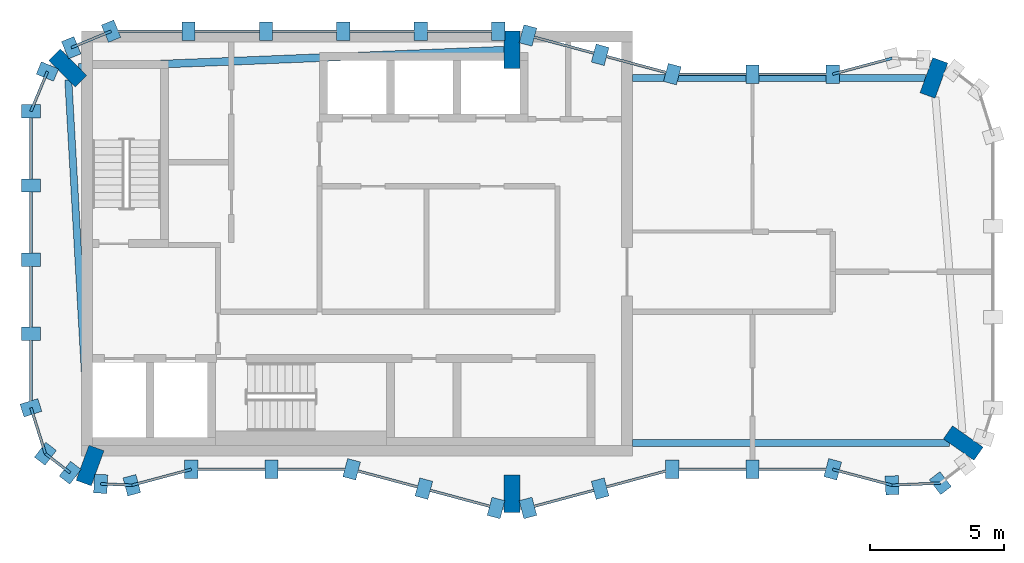
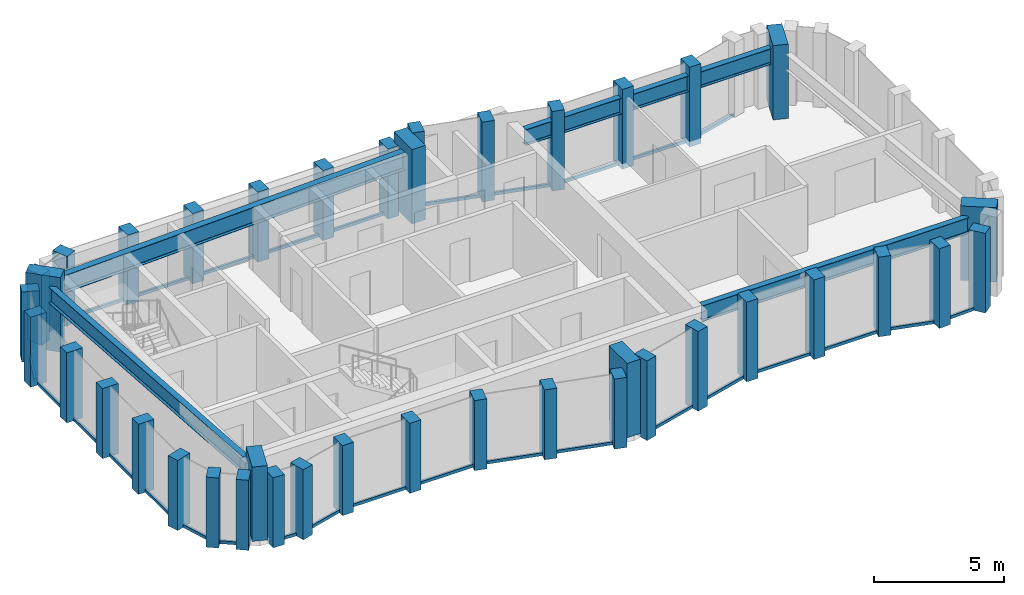
# One storey, part 1 of 5: 51 members, 6 columns, 4 beams, 18 elements without a shape of their own.
"""IFC4 building model written with IfcOpenShell, lengths in metres."""

from ifc_helpers import new_model, si_unit, direction, frame, origin, origin_2d, place, context, subcontext, project, spatial, rectangle, i_section, extrude, material, layer, layer_set, material_profile, profile_set, type_object, element, aggregate, save


model = new_model("IFC4")

# Units and contexts
model_context = context("Model", 3, precision=1e-05, world=origin(), true_north=direction((0.0, 1.0)))
body_context = subcontext(model_context, "Body", "Model", "MODEL_VIEW")
ifc_project = project(units=[si_unit("LENGTHUNIT", "METRE"), si_unit("AREAUNIT", "SQUARE_METRE"), si_unit("VOLUMEUNIT", "CUBIC_METRE"), si_unit("PLANEANGLEUNIT", "RADIAN"), si_unit("MASSUNIT", "GRAM", prefix="KILO")], contexts=[model_context])

# Site, building, storey
site_placement = place(None, origin())
site = spatial("IfcSite", under=ifc_project, at=site_placement, CompositionType="ELEMENT")
building_placement = place(site_placement, origin())
building = spatial("IfcBuilding", under=site, at=building_placement, Name="Plateau Cross Towers", CompositionType="ELEMENT")
storey_placement = place(building_placement, frame((0.0, 0.0, 298.39990234375)))
storey = spatial("IfcBuildingStorey", under=building, at=storey_placement, Name="L79 Crown 2", CompositionType="ELEMENT", Elevation=298.39990234375)

# Columns
ifc_material_1 = material(Name="Concrete C60/75", Category="concrete")
ifc_material_profile_1 = material_profile(ifc_material_1, rectangle(XDim=0.60009765625, YDim=1.39990234375, at=origin_2d()), Name="RC 600x1400")
ifc_profile_set_1 = profile_set([ifc_material_profile_1], Name="Concrete C60/75")
column_type = type_object("IfcColumnType", Name="Fin pier column RC 600x1400", PredefinedType="COLUMN", material=ifc_profile_set_1)
for number, where, z_axis, x_axis, name in (
    (1, (18.0, 0.699951171875, 0.0), (0.0, 0.0, 1.0), (1.0, 0.0, 0.0), "PR1 L79 Crown 2"),
    (2, (34.884033203125, 2.590087890625, 0.0), (0.0, 0.0, 1.0), (0.573542637991, 0.819175709117, 0.0), "PR17 L79 Crown 2"),
    (3, (33.786865234375, 16.251953125, 0.0), (0.0, 0.0, 1.0), (-0.939664280925, 0.342097996418, 0.0), "PR18 L79 Crown 2"),
    (4, (18.0, 17.300048828125, 0.0), (0.0, 0.0, 1.0), (1.0, 0.0, 0.0), "PR13 L79 Crown 2"),
    (5, (1.37353515625, 16.62646484375, 0.0), (0.0, 0.0, 1.0), (0.707106781187, 0.707106781187, 0.0), "PR14 L79 Crown 2"),
    (6, (2.213134765625, 1.748046875, 0.0), (0.0, 0.0, 1.0), (-0.939664280925, 0.342097996418, 0.0), "PR12 L79 Crown 2"),
):
    element("IfcColumn", number, at=place(storey_placement, frame(where, z_axis=z_axis, x_axis=x_axis)), inside=storey, type_object=column_type, Name=name, PredefinedType="COLUMN", context=body_context, shape_type="SweptSolid", body=[
        extrude(rectangle(XDim=0.60009765625, YDim=1.39990234375, at=origin_2d()), origin(), (0.0, 0.0, 1.0), 3.5),
    ])

# Beams
ifc_material_2 = material(Name="Steel S355", Category="steel")
ifc_material_profile_2 = material_profile(ifc_material_2, i_section(OverallWidth=0.26513671875, OverallDepth=0.75390625, WebThickness=0.0126953125, FlangeThickness=0.017578125, FilletRadius=0.0166015625, at=origin_2d()), Name="UB 762x267x147")
ifc_profile_set_2 = profile_set([ifc_material_profile_2], Name="Steel S355")
beam_type_1 = type_object("IfcBeamType", Name="Crown ring beam UB 762x267x147", PredefinedType="BEAM", material=ifc_profile_set_2)
beam_1_placement = place(storey_placement, frame((1.39892578125, 16.1767578125, 2.673095703125), z_axis=(0.056348976318, -0.998411134187, 0.0), x_axis=(0.998411134187, 0.056348976318, 0.0)))
element("IfcBeam", 7, at=beam_1_placement, inside=storey, type_object=beam_type_1, Name="CRB-L79 Crown 2-05", PredefinedType="BEAM", context=body_context, shape_type="SweptSolid", body=[
    extrude(i_section(OverallWidth=0.26513671875, OverallDepth=0.75390625, WebThickness=0.0126953125, FlangeThickness=0.017578125, FilletRadius=0.0166015625, at=origin_2d()), origin(), (0.0, 0.0, 1.0), 13.691162109375),
])
ifc_material_profile_3 = material_profile(ifc_material_2, i_section(OverallWidth=0.291748046875, OverallDepth=0.8349609375, WebThickness=0.013916015625, FlangeThickness=0.018798828125, FilletRadius=0.017822265625, at=origin_2d()), Name="UB 838x292x176")
ifc_profile_set_3 = profile_set([ifc_material_profile_3], Name="Steel S355")
beam_type_2 = type_object("IfcBeamType", Name="Crown ring beam UB 838x292x176", PredefinedType="BEAM", material=ifc_profile_set_3)
beam_2_placement = place(storey_placement, frame((17.699951171875, 17.287841796875, 2.632568359375), z_axis=(-0.999180065047, -0.040487005488, 0.0), x_axis=(0.040487005488, -0.999180065047, 0.0)))
element("IfcBeam", 8, at=beam_2_placement, inside=storey, type_object=beam_type_2, Name="CRB-L79 Crown 2-04", PredefinedType="BEAM", context=body_context, shape_type="SweptSolid", body=[
    extrude(i_section(OverallWidth=0.291748046875, OverallDepth=0.8349609375, WebThickness=0.013916015625, FlangeThickness=0.018798828125, FilletRadius=0.017822265625, at=origin_2d()), origin(), (0.0, 0.0, 1.0), 15.931640625),
])

# Curtain wall, member
ifc_material_3 = material(Name="Dark low-iron glass", Category="glass")
ifc_layer = layer(ifc_material_3, 0.800048828125)
ifc_layer_set = layer_set([ifc_layer], Name="Dark low-iron glass")
curtain_wall_type = type_object("IfcCurtainWallType", Name="Curtain wall sky lounge CW-D", PredefinedType="NOTDEFINED", material=ifc_layer_set)
curtain_wall_1_placement = place(storey_placement, origin())
curtain_wall_1 = element("IfcCurtainWall", 9, at=curtain_wall_1_placement, inside=storey, type_object=curtain_wall_type, Name="ENV/A/L79 Crown 2/A38_10", PredefinedType="NOTDEFINED")
ifc_material_4 = material(Name="Black anodised aluminium", Category="aluminium")
ifc_material_profile_4 = material_profile(ifc_material_4, rectangle(XDim=0.5, YDim=0.699951171875, at=origin_2d()), Name="MULLION 500x700")
ifc_profile_set_4 = profile_set([ifc_material_profile_4], Name="Black anodised aluminium")
member_type_1 = type_object("IfcMemberType", Name="Mullion 500x700 sky lounge", PredefinedType="MULLION", material=ifc_profile_set_4)
member_1_placement = place(storey_placement, frame((3.776123046875, 1.01123046875, -0.25), z_axis=(0.0, 0.0, 1.0), x_axis=(0.965957962328, 0.258699081978, 0.0)))
member_1 = element("IfcMember", 10, at=member_1_placement, type_object=member_type_1, Name="CW-D mullion 1", PredefinedType="MULLION", context=body_context, shape_type="SweptSolid", body=[
    extrude(rectangle(XDim=0.5, YDim=0.699951171875, at=origin_2d()), origin(), (0.0, 0.0, 1.0), 3.300048828125),
])

# Curtain wall, members
curtain_wall_2_placement = place(storey_placement, origin())
curtain_wall_2 = element("IfcCurtainWall", 11, at=curtain_wall_2_placement, inside=storey, type_object=curtain_wall_type, Name="ENV/A/L79 Crown 2/A60_16", PredefinedType="NOTDEFINED")
member_2_placement = place(storey_placement, frame((6.0, 1.60693359375, -0.25), z_axis=(0.0, 0.0, 1.0), x_axis=(1.0, 0.0, 0.0)))
member_2 = element("IfcMember", 12, at=member_2_placement, type_object=member_type_1, Name="CW-D mullion 1", PredefinedType="MULLION", context=body_context, shape_type="SweptSolid", body=[
    extrude(rectangle(XDim=0.5, YDim=0.699951171875, at=origin_2d()), origin(), (0.0, 0.0, 1.0), 3.300048828125),
])
member_3_placement = place(storey_placement, frame((9.0, 1.60693359375, -0.25), z_axis=(0.0, 0.0, 1.0), x_axis=(1.0, 0.0, 0.0)))
member_3 = element("IfcMember", 13, at=member_3_placement, type_object=member_type_1, Name="CW-D mullion 2", PredefinedType="MULLION", context=body_context, shape_type="SweptSolid", body=[
    extrude(rectangle(XDim=0.5, YDim=0.699951171875, at=origin_2d()), origin(), (0.0, 0.0, 1.0), 3.300048828125),
])

curtain_wall_3_placement = place(storey_placement, origin())
curtain_wall_3 = element("IfcCurtainWall", 14, at=curtain_wall_3_placement, inside=storey, type_object=curtain_wall_type, Name="ENV/A/L79 Crown 2/A120_16", PredefinedType="NOTDEFINED")
member_4_placement = place(storey_placement, frame((12.0, 1.60693359375, -0.25), z_axis=(0.0, 0.0, 1.0), x_axis=(0.965957983404, -0.258699003279, 0.0)))
member_4 = element("IfcMember", 15, at=member_4_placement, type_object=member_type_1, Name="CW-D mullion 1", PredefinedType="MULLION", context=body_context, shape_type="SweptSolid", body=[
    extrude(rectangle(XDim=0.5, YDim=0.699951171875, at=origin_2d()), origin(), (0.0, 0.0, 1.0), 3.300048828125),
])
member_5_placement = place(storey_placement, frame((14.70166015625, 0.88330078125, -0.25), z_axis=(0.0, 0.0, 1.0), x_axis=(0.965957983404, -0.258699003279, 0.0)))
member_5 = element("IfcMember", 16, at=member_5_placement, type_object=member_type_1, Name="CW-D mullion 2", PredefinedType="MULLION", context=body_context, shape_type="SweptSolid", body=[
    extrude(rectangle(XDim=0.5, YDim=0.699951171875, at=origin_2d()), origin(), (0.0, 0.0, 1.0), 3.300048828125),
])
member_6_placement = place(storey_placement, frame((17.403076171875, 0.159912109375, -0.25), z_axis=(0.0, 0.0, 1.0), x_axis=(0.965957983404, -0.258699003279, 0.0)))
member_6 = element("IfcMember", 17, at=member_6_placement, type_object=member_type_1, Name="CW-D mullion 3", PredefinedType="MULLION", context=body_context, shape_type="SweptSolid", body=[
    extrude(rectangle(XDim=0.5, YDim=0.699951171875, at=origin_2d()), origin(), (0.0, 0.0, 1.0), 3.300048828125),
])

curtain_wall_4_placement = place(storey_placement, origin())
curtain_wall_4 = element("IfcCurtainWall", 18, at=curtain_wall_4_placement, inside=storey, type_object=curtain_wall_type, Name="ENV/A/L79 Crown 2/A186_2", PredefinedType="NOTDEFINED")
member_7_placement = place(storey_placement, frame((18.596923828125, 0.159912109375, -0.25), z_axis=(0.0, 0.0, 1.0), x_axis=(0.965957983404, 0.258699003279, 0.0)))
member_7 = element("IfcMember", 19, at=member_7_placement, type_object=member_type_1, Name="CW-D mullion 1", PredefinedType="MULLION", context=body_context, shape_type="SweptSolid", body=[
    extrude(rectangle(XDim=0.5, YDim=0.699951171875, at=origin_2d()), origin(), (0.0, 0.0, 1.0), 3.75),
])
member_8_placement = place(storey_placement, frame((21.29833984375, 0.88330078125, -0.25), z_axis=(0.0, 0.0, 1.0), x_axis=(0.965957983404, 0.258699003279, 0.0)))
member_8 = element("IfcMember", 20, at=member_8_placement, type_object=member_type_1, Name="CW-D mullion 2", PredefinedType="MULLION", context=body_context, shape_type="SweptSolid", body=[
    extrude(rectangle(XDim=0.5, YDim=0.699951171875, at=origin_2d()), origin(), (0.0, 0.0, 1.0), 3.75),
])

curtain_wall_5_placement = place(storey_placement, origin())
curtain_wall_5 = element("IfcCurtainWall", 21, at=curtain_wall_5_placement, inside=storey, type_object=curtain_wall_type, Name="ENV/A/L79 Crown 2/A240_16", PredefinedType="NOTDEFINED")
member_9_placement = place(storey_placement, frame((24.0, 1.60693359375, -0.25), z_axis=(0.0, 0.0, 1.0), x_axis=(1.0, 0.0, 0.0)))
member_9 = element("IfcMember", 22, at=member_9_placement, type_object=member_type_1, Name="CW-D mullion 1", PredefinedType="MULLION", context=body_context, shape_type="SweptSolid", body=[
    extrude(rectangle(XDim=0.5, YDim=0.699951171875, at=origin_2d()), origin(), (0.0, 0.0, 1.0), 3.75),
])
member_10_placement = place(storey_placement, frame((27.0, 1.60693359375, -0.25), z_axis=(0.0, 0.0, 1.0), x_axis=(1.0, 0.0, 0.0)))
member_10 = element("IfcMember", 23, at=member_10_placement, type_object=member_type_1, Name="CW-D mullion 2", PredefinedType="MULLION", context=body_context, shape_type="SweptSolid", body=[
    extrude(rectangle(XDim=0.5, YDim=0.699951171875, at=origin_2d()), origin(), (0.0, 0.0, 1.0), 3.75),
])

# Curtain wall, member
curtain_wall_6_placement = place(storey_placement, origin())
curtain_wall_6 = element("IfcCurtainWall", 24, at=curtain_wall_6_placement, inside=storey, type_object=curtain_wall_type, Name="ENV/A/L79 Crown 2/A300_16", PredefinedType="NOTDEFINED")
member_11_placement = place(storey_placement, frame((30.0, 1.60693359375, -0.25), z_axis=(0.0, 0.0, 1.0), x_axis=(0.965957962328, -0.258699081978, 0.0)))
member_11 = element("IfcMember", 25, at=member_11_placement, type_object=member_type_1, Name="CW-D mullion 1", PredefinedType="MULLION", context=body_context, shape_type="SweptSolid", body=[
    extrude(rectangle(XDim=0.5, YDim=0.699951171875, at=origin_2d()), origin(), (0.0, 0.0, 1.0), 3.75),
])

curtain_wall_7_placement = place(storey_placement, origin())
curtain_wall_7 = element("IfcCurtainWall", 26, at=curtain_wall_7_placement, inside=storey, type_object=curtain_wall_type, Name="ENV/A/L79 Crown 2/A322_10", PredefinedType="NOTDEFINED")
member_12_placement = place(storey_placement, frame((32.223876953125, 1.01123046875, -0.25), z_axis=(0.0, 0.0, 1.0), x_axis=(0.999043701491, 0.043722791671, 0.0)))
member_12 = element("IfcMember", 27, at=member_12_placement, type_object=member_type_1, Name="CW-D mullion 1", PredefinedType="MULLION", context=body_context, shape_type="SweptSolid", body=[
    extrude(rectangle(XDim=0.5, YDim=0.699951171875, at=origin_2d()), origin(), (0.0, 0.0, 1.0), 3.75),
])

curtain_wall_8_placement = place(storey_placement, origin())
curtain_wall_8 = element("IfcCurtainWall", 28, at=curtain_wall_8_placement, inside=storey, type_object=curtain_wall_type, Name="ENV/A/L79 Crown 2/A340_11", PredefinedType="NOTDEFINED")
member_13_placement = place(storey_placement, frame((34.0263671875, 1.090087890625, -0.25), z_axis=(0.0, 0.0, 1.0), x_axis=(0.793315514529, 0.608810721331, 0.0)))
member_13 = element("IfcMember", 29, at=member_13_placement, type_object=member_type_1, Name="CW-D mullion 1", PredefinedType="MULLION", context=body_context, shape_type="SweptSolid", body=[
    extrude(rectangle(XDim=0.5, YDim=0.699951171875, at=origin_2d()), origin(), (0.0, 0.0, 1.0), 3.75),
])
aggregate(curtain_wall_8, [member_13])

# Curtain wall, members
curtain_wall_9_placement = place(storey_placement, origin())
curtain_wall_9 = element("IfcCurtainWall", 30, at=curtain_wall_9_placement, inside=storey, type_object=curtain_wall_type, Name="ENV/A/L79 Crown 2/A300_164", PredefinedType="NOTDEFINED")
member_14_placement = place(storey_placement, frame((30.0, 16.39306640625, -0.25), z_axis=(0.0, 0.0, 1.0), x_axis=(-1.0, 0.0, 0.0)))
member_14 = element("IfcMember", 31, at=member_14_placement, type_object=member_type_1, Name="CW-D mullion 1", PredefinedType="MULLION", context=body_context, shape_type="SweptSolid", body=[
    extrude(rectangle(XDim=0.5, YDim=0.699951171875, at=origin_2d()), origin(), (0.0, 0.0, 1.0), 3.75),
])
member_15_placement = place(storey_placement, frame((27.0, 16.39306640625, -0.25), z_axis=(0.0, 0.0, 1.0), x_axis=(-1.0, 0.0, 0.0)))
member_15 = element("IfcMember", 32, at=member_15_placement, type_object=member_type_1, Name="CW-D mullion 2", PredefinedType="MULLION", context=body_context, shape_type="SweptSolid", body=[
    extrude(rectangle(XDim=0.5, YDim=0.699951171875, at=origin_2d()), origin(), (0.0, 0.0, 1.0), 3.75),
])

curtain_wall_10_placement = place(storey_placement, origin())
curtain_wall_10 = element("IfcCurtainWall", 33, at=curtain_wall_10_placement, inside=storey, type_object=curtain_wall_type, Name="ENV/A/L79 Crown 2/A240_164", PredefinedType="NOTDEFINED")
member_16_placement = place(storey_placement, frame((24.0, 16.39306640625, -0.25), z_axis=(0.0, 0.0, 1.0), x_axis=(-0.965957983404, 0.258699003279, 0.0)))
member_16 = element("IfcMember", 34, at=member_16_placement, type_object=member_type_1, Name="CW-D mullion 1", PredefinedType="MULLION", context=body_context, shape_type="SweptSolid", body=[
    extrude(rectangle(XDim=0.5, YDim=0.699951171875, at=origin_2d()), origin(), (0.0, 0.0, 1.0), 3.75),
])
member_17_placement = place(storey_placement, frame((21.29833984375, 17.11669921875, -0.25), z_axis=(0.0, 0.0, 1.0), x_axis=(-0.965957983404, 0.258699003279, 0.0)))
member_17 = element("IfcMember", 35, at=member_17_placement, type_object=member_type_1, Name="CW-D mullion 2", PredefinedType="MULLION", context=body_context, shape_type="SweptSolid", body=[
    extrude(rectangle(XDim=0.5, YDim=0.699951171875, at=origin_2d()), origin(), (0.0, 0.0, 1.0), 3.75),
])
member_18_placement = place(storey_placement, frame((18.596923828125, 17.840087890625, -0.25), z_axis=(0.0, 0.0, 1.0), x_axis=(-0.965957983404, 0.258699003279, 0.0)))
member_18 = element("IfcMember", 36, at=member_18_placement, type_object=member_type_1, Name="CW-D mullion 3", PredefinedType="MULLION", context=body_context, shape_type="SweptSolid", body=[
    extrude(rectangle(XDim=0.5, YDim=0.699951171875, at=origin_2d()), origin(), (0.0, 0.0, 1.0), 3.75),
])

curtain_wall_11_placement = place(storey_placement, origin())
curtain_wall_11 = element("IfcCurtainWall", 37, at=curtain_wall_11_placement, inside=storey, type_object=curtain_wall_type, Name="ENV/A/L79 Crown 2/A175_180", PredefinedType="NOTDEFINED")
member_19_placement = place(storey_placement, frame((17.485107421875, 18.0, -0.25), z_axis=(0.0, 0.0, 1.0), x_axis=(-1.0, 0.0, 0.0)))
member_19 = element("IfcMember", 38, at=member_19_placement, type_object=member_type_1, Name="CW-D mullion 1", PredefinedType="MULLION", context=body_context, shape_type="SweptSolid", body=[
    extrude(rectangle(XDim=0.5, YDim=0.699951171875, at=origin_2d()), origin(), (0.0, 0.0, 1.0), 3.300048828125),
])
member_20_placement = place(storey_placement, frame((14.587890625, 18.0, -0.25), z_axis=(0.0, 0.0, 1.0), x_axis=(-1.0, 0.0, 0.0)))
member_20 = element("IfcMember", 39, at=member_20_placement, type_object=member_type_1, Name="CW-D mullion 2", PredefinedType="MULLION", context=body_context, shape_type="SweptSolid", body=[
    extrude(rectangle(XDim=0.5, YDim=0.699951171875, at=origin_2d()), origin(), (0.0, 0.0, 1.0), 3.300048828125),
])
member_21_placement = place(storey_placement, frame((11.69091796875, 18.0, -0.25), z_axis=(0.0, 0.0, 1.0), x_axis=(-1.0, 0.0, 0.0)))
member_21 = element("IfcMember", 40, at=member_21_placement, type_object=member_type_1, Name="CW-D mullion 3", PredefinedType="MULLION", context=body_context, shape_type="SweptSolid", body=[
    extrude(rectangle(XDim=0.5, YDim=0.699951171875, at=origin_2d()), origin(), (0.0, 0.0, 1.0), 3.300048828125),
])
member_22_placement = place(storey_placement, frame((8.7939453125, 18.0, -0.25), z_axis=(0.0, 0.0, 1.0), x_axis=(-1.0, 0.0, 0.0)))
member_22 = element("IfcMember", 41, at=member_22_placement, type_object=member_type_1, Name="CW-D mullion 4", PredefinedType="MULLION", context=body_context, shape_type="SweptSolid", body=[
    extrude(rectangle(XDim=0.5, YDim=0.699951171875, at=origin_2d()), origin(), (0.0, 0.0, 1.0), 3.300048828125),
])
member_23_placement = place(storey_placement, frame((5.89697265625, 18.0, -0.25), z_axis=(0.0, 0.0, 1.0), x_axis=(-1.0, 0.0, 0.0)))
member_23 = element("IfcMember", 42, at=member_23_placement, type_object=member_type_1, Name="CW-D mullion 5", PredefinedType="MULLION", context=body_context, shape_type="SweptSolid", body=[
    extrude(rectangle(XDim=0.5, YDim=0.699951171875, at=origin_2d()), origin(), (0.0, 0.0, 1.0), 3.300048828125),
])

curtain_wall_12_placement = place(storey_placement, origin())
curtain_wall_12 = element("IfcCurtainWall", 43, at=curtain_wall_12_placement, inside=storey, type_object=curtain_wall_type, Name="ENV/A/L79 Crown 2/A30_180", PredefinedType="NOTDEFINED")
member_24_placement = place(storey_placement, frame((3.0, 18.0, -0.25), z_axis=(0.0, 0.0, 1.0), x_axis=(-0.923879457699, -0.382683612978, 0.0)))
member_24 = element("IfcMember", 44, at=member_24_placement, type_object=member_type_1, Name="CW-D mullion 1", PredefinedType="MULLION", context=body_context, shape_type="SweptSolid", body=[
    extrude(rectangle(XDim=0.5, YDim=0.699951171875, at=origin_2d()), origin(), (0.0, 0.0, 1.0), 3.300048828125),
])
member_25_placement = place(storey_placement, frame((1.50830078125, 17.382080078125, -0.25), z_axis=(0.0, 0.0, 1.0), x_axis=(-0.923879457699, -0.382683612978, 0.0)))
member_25 = element("IfcMember", 45, at=member_25_placement, type_object=member_type_1, Name="CW-D mullion 2", PredefinedType="MULLION", context=body_context, shape_type="SweptSolid", body=[
    extrude(rectangle(XDim=0.5, YDim=0.699951171875, at=origin_2d()), origin(), (0.0, 0.0, 1.0), 3.300048828125),
])

# Curtain wall, member
curtain_wall_13_placement = place(storey_placement, origin())
curtain_wall_13 = element("IfcCurtainWall", 46, at=curtain_wall_13_placement, inside=storey, type_object=curtain_wall_type, Name="ENV/A/L79 Crown 2/A6_165", PredefinedType="NOTDEFINED")
member_26_placement = place(storey_placement, frame((0.617919921875, 16.49169921875, -0.25), z_axis=(0.0, 0.0, 1.0), x_axis=(-0.382683612978, -0.923879457699, 0.0)))
member_26 = element("IfcMember", 47, at=member_26_placement, type_object=member_type_1, Name="CW-D mullion 1", PredefinedType="MULLION", context=body_context, shape_type="SweptSolid", body=[
    extrude(rectangle(XDim=0.5, YDim=0.699951171875, at=origin_2d()), origin(), (0.0, 0.0, 1.0), 3.300048828125),
])

# Curtain wall, members
curtain_wall_14_placement = place(storey_placement, origin())
curtain_wall_14 = element("IfcCurtainWall", 48, at=curtain_wall_14_placement, inside=storey, type_object=curtain_wall_type, Name="ENV/A/L79 Crown 2/A0_150", PredefinedType="NOTDEFINED")
member_27_placement = place(storey_placement, frame((0.0, 15.0, -0.25), z_axis=(0.0, 0.0, 1.0), x_axis=(0.0, -1.0, 0.0)))
member_27 = element("IfcMember", 49, at=member_27_placement, type_object=member_type_1, Name="CW-D mullion 1", PredefinedType="MULLION", context=body_context, shape_type="SweptSolid", body=[
    extrude(rectangle(XDim=0.5, YDim=0.699951171875, at=origin_2d()), origin(), (0.0, 0.0, 1.0), 3.300048828125),
])
member_28_placement = place(storey_placement, frame((0.0, 12.227294921875, -0.25), z_axis=(0.0, 0.0, 1.0), x_axis=(0.0, -1.0, 0.0)))
member_28 = element("IfcMember", 50, at=member_28_placement, type_object=member_type_1, Name="CW-D mullion 2", PredefinedType="MULLION", context=body_context, shape_type="SweptSolid", body=[
    extrude(rectangle(XDim=0.5, YDim=0.699951171875, at=origin_2d()), origin(), (0.0, 0.0, 1.0), 3.300048828125),
])
member_29_placement = place(storey_placement, frame((0.0, 9.45458984375, -0.25), z_axis=(0.0, 0.0, 1.0), x_axis=(0.0, -1.0, 0.0)))
member_29 = element("IfcMember", 51, at=member_29_placement, type_object=member_type_1, Name="CW-D mullion 3", PredefinedType="MULLION", context=body_context, shape_type="SweptSolid", body=[
    extrude(rectangle(XDim=0.5, YDim=0.699951171875, at=origin_2d()), origin(), (0.0, 0.0, 1.0), 3.300048828125),
])
member_30_placement = place(storey_placement, frame((0.0, 6.681884765625, -0.25), z_axis=(0.0, 0.0, 1.0), x_axis=(0.0, -1.0, 0.0)))
member_30 = element("IfcMember", 52, at=member_30_placement, type_object=member_type_1, Name="CW-D mullion 4", PredefinedType="MULLION", context=body_context, shape_type="SweptSolid", body=[
    extrude(rectangle(XDim=0.5, YDim=0.699951171875, at=origin_2d()), origin(), (0.0, 0.0, 1.0), 3.300048828125),
])

# Curtain wall, member
curtain_wall_15_placement = place(storey_placement, origin())
curtain_wall_15 = element("IfcCurtainWall", 53, at=curtain_wall_15_placement, inside=storey, type_object=curtain_wall_type, Name="ENV/A/L79 Crown 2/A0_39", PredefinedType="NOTDEFINED")
member_31_placement = place(storey_placement, frame((0.0, 3.9091796875, -0.25), z_axis=(0.0, 0.0, 1.0), x_axis=(0.300686174994, -0.95372313811, 0.0)))
member_31 = element("IfcMember", 54, at=member_31_placement, type_object=member_type_1, Name="CW-D mullion 1", PredefinedType="MULLION", context=body_context, shape_type="SweptSolid", body=[
    extrude(rectangle(XDim=0.5, YDim=0.699951171875, at=origin_2d()), origin(), (0.0, 0.0, 1.0), 3.300048828125),
])

# Curtain wall, members
curtain_wall_16_placement = place(storey_placement, origin())
curtain_wall_16 = element("IfcCurtainWall", 55, at=curtain_wall_16_placement, inside=storey, type_object=curtain_wall_type, Name="ENV/A/L79 Crown 2/A5_22", PredefinedType="NOTDEFINED")
member_32_placement = place(storey_placement, frame((0.54248046875, 2.1884765625, -0.25), z_axis=(0.0, 0.0, 1.0), x_axis=(0.793315514529, -0.608810721331, 0.0)))
member_32 = element("IfcMember", 56, at=member_32_placement, type_object=member_type_1, Name="CW-D mullion 1", PredefinedType="MULLION", context=body_context, shape_type="SweptSolid", body=[
    extrude(rectangle(XDim=0.5, YDim=0.699951171875, at=origin_2d()), origin(), (0.0, 0.0, 1.0), 3.300048828125),
])
member_33_placement = place(storey_placement, frame((1.467529296875, 1.478515625, -0.25), z_axis=(0.0, 0.0, 1.0), x_axis=(0.793315514529, -0.608810721331, 0.0)))
member_33 = element("IfcMember", 57, at=member_33_placement, type_object=member_type_1, Name="CW-D mullion 2", PredefinedType="MULLION", context=body_context, shape_type="SweptSolid", body=[
    extrude(rectangle(XDim=0.5, YDim=0.699951171875, at=origin_2d()), origin(), (0.0, 0.0, 1.0), 3.300048828125),
])

# Curtain wall, member
curtain_wall_17_placement = place(storey_placement, origin())
curtain_wall_17 = element("IfcCurtainWall", 58, at=curtain_wall_17_placement, inside=storey, type_object=curtain_wall_type, Name="ENV/A/L79 Crown 2/A26_11", PredefinedType="NOTDEFINED")
member_34_placement = place(storey_placement, frame((2.611083984375, 1.062255859375, -0.25), z_axis=(0.0, 0.0, 1.0), x_axis=(0.999043701491, -0.043722791671, 0.0)))
member_34 = element("IfcMember", 59, at=member_34_placement, type_object=member_type_1, Name="CW-D mullion 1", PredefinedType="MULLION", context=body_context, shape_type="SweptSolid", body=[
    extrude(rectangle(XDim=0.5, YDim=0.699951171875, at=origin_2d()), origin(), (0.0, 0.0, 1.0), 3.300048828125),
])

# Beams
ifc_material_profile_5 = material_profile(ifc_material_2, i_section(OverallWidth=0.26513671875, OverallDepth=0.75390625, WebThickness=0.0126953125, FlangeThickness=0.017578125, FilletRadius=0.0166015625, at=origin_2d()), Name="UB 762x267x147")
ifc_profile_set_5 = profile_set([ifc_material_profile_5], Name="Steel S355")
beam_type_3 = type_object("IfcBeamType", Name="Terrace bearer UB 762x267x147", PredefinedType="BEAM", material=ifc_profile_set_5)
beam_3_placement = place(storey_placement, frame((22.5, 2.590087890625, 2.673095703125), z_axis=(1.0, 0.0, 0.0), x_axis=(0.0, 1.0, 0.0)))
element("IfcBeam", 60, at=beam_3_placement, inside=storey, type_object=beam_type_3, Name="TB-A-terrace-3-1", PredefinedType="BEAM", context=body_context, shape_type="SweptSolid", body=[
    extrude(i_section(OverallWidth=0.26513671875, OverallDepth=0.75390625, WebThickness=0.0126953125, FlangeThickness=0.017578125, FilletRadius=0.0166015625, at=origin_2d()), origin(), (0.0, 0.0, 1.0), 11.861083984375),
])
beam_4_placement = place(storey_placement, frame((22.5, 16.251953125, 2.673095703125), z_axis=(1.0, 0.0, 0.0), x_axis=(0.0, 1.0, 0.0)))
element("IfcBeam", 61, at=beam_4_placement, inside=storey, type_object=beam_type_3, Name="TB-A-terrace-3-2", PredefinedType="BEAM", context=body_context, shape_type="SweptSolid", body=[
    extrude(i_section(OverallWidth=0.26513671875, OverallDepth=0.75390625, WebThickness=0.0126953125, FlangeThickness=0.017578125, FilletRadius=0.0166015625, at=origin_2d()), origin(), (0.0, 0.0, 1.0), 10.967529296875),
])

# Member
ifc_material_profile_6 = material_profile(ifc_material_4, rectangle(XDim=0.10009765625, YDim=0.139892578125, at=origin_2d()), Name="TRANSOM 100x140")
ifc_profile_set_6 = profile_set([ifc_material_profile_6], Name="Black anodised aluminium")
member_type_2 = type_object("IfcMemberType", Name="Transom 100x140 sky lounge", PredefinedType="USERDEFINED", material=ifc_profile_set_6)
member_35_placement = place(storey_placement, frame((3.776123046875, 1.01123046875, -0.179931640625), z_axis=(0.965945685136, 0.258744919501, 0.0), x_axis=(-0.258744919501, 0.965945685136, 0.0)))
member_35 = element("IfcMember", 62, at=member_35_placement, type_object=member_type_2, Name="CW-D transom", ObjectType="TRANSOM", PredefinedType="USERDEFINED", context=body_context, shape_type="SweptSolid", body=[
    extrude(rectangle(XDim=0.10009765625, YDim=0.139892578125, at=origin_2d()), origin(), (0.0, 0.0, 1.0), 2.30224609375),
])

aggregate(curtain_wall_1, [member_1, member_35])

member_36_placement = place(storey_placement, frame((6.0, 1.60693359375, -0.179931640625), z_axis=(1.0, 0.0, 0.0), x_axis=(0.0, 1.0, 0.0)))
member_36 = element("IfcMember", 63, at=member_36_placement, type_object=member_type_2, Name="CW-D transom", ObjectType="TRANSOM", PredefinedType="USERDEFINED", context=body_context, shape_type="SweptSolid", body=[
    extrude(rectangle(XDim=0.10009765625, YDim=0.139892578125, at=origin_2d()), origin(), (0.0, 0.0, 1.0), 6.0),
])

aggregate(curtain_wall_2, [member_2, member_3, member_36])

member_37_placement = place(storey_placement, frame((12.0, 1.60693359375, -0.179931640625), z_axis=(0.965958374924, -0.258697541375, 0.0), x_axis=(0.258697541375, 0.965958374924, 0.0)))
member_37 = element("IfcMember", 64, at=member_37_placement, type_object=member_type_2, Name="CW-D transom", ObjectType="TRANSOM", PredefinedType="USERDEFINED", context=body_context, shape_type="SweptSolid", body=[
    extrude(rectangle(XDim=0.10009765625, YDim=0.139892578125, at=origin_2d()), origin(), (0.0, 0.0, 1.0), 5.593505859375),
])

aggregate(curtain_wall_3, [member_4, member_5, member_6, member_37])

member_38_placement = place(storey_placement, frame((18.596923828125, 0.159912109375, -0.179931640625), z_axis=(0.965958374924, 0.258697541375, 0.0), x_axis=(-0.258697541375, 0.965958374924, 0.0)))
member_38 = element("IfcMember", 65, at=member_38_placement, type_object=member_type_2, Name="CW-D transom", ObjectType="TRANSOM", PredefinedType="USERDEFINED", context=body_context, shape_type="SweptSolid", body=[
    extrude(rectangle(XDim=0.10009765625, YDim=0.139892578125, at=origin_2d()), origin(), (0.0, 0.0, 1.0), 5.593505859375),
])

aggregate(curtain_wall_4, [member_7, member_8, member_38])

member_39_placement = place(storey_placement, frame((24.0, 1.60693359375, -0.179931640625), z_axis=(1.0, 0.0, 0.0), x_axis=(0.0, 1.0, 0.0)))
member_39 = element("IfcMember", 66, at=member_39_placement, type_object=member_type_2, Name="CW-D transom", ObjectType="TRANSOM", PredefinedType="USERDEFINED", context=body_context, shape_type="SweptSolid", body=[
    extrude(rectangle(XDim=0.10009765625, YDim=0.139892578125, at=origin_2d()), origin(), (0.0, 0.0, 1.0), 6.0),
])

aggregate(curtain_wall_5, [member_9, member_10, member_39])

member_40_placement = place(storey_placement, frame((30.0, 1.60693359375, -0.179931640625), z_axis=(0.965945685136, -0.258744919501, 0.0), x_axis=(0.258744919501, 0.965945685136, 0.0)))
member_40 = element("IfcMember", 67, at=member_40_placement, type_object=member_type_2, Name="CW-D transom", ObjectType="TRANSOM", PredefinedType="USERDEFINED", context=body_context, shape_type="SweptSolid", body=[
    extrude(rectangle(XDim=0.10009765625, YDim=0.139892578125, at=origin_2d()), origin(), (0.0, 0.0, 1.0), 2.30224609375),
])

aggregate(curtain_wall_6, [member_11, member_40])

member_41_placement = place(storey_placement, frame((32.223876953125, 1.01123046875, -0.179931640625), z_axis=(0.999044377355, 0.043707345779, 0.0), x_axis=(-0.043707345779, 0.999044377355, 0.0)))
member_41 = element("IfcMember", 68, at=member_41_placement, type_object=member_type_2, Name="CW-D transom", ObjectType="TRANSOM", PredefinedType="USERDEFINED", context=body_context, shape_type="SweptSolid", body=[
    extrude(rectangle(XDim=0.10009765625, YDim=0.139892578125, at=origin_2d()), origin(), (0.0, 0.0, 1.0), 1.80419921875),
])

aggregate(curtain_wall_7, [member_12, member_41])

# Curtain wall, member
curtain_wall_18_placement = place(storey_placement, origin())
curtain_wall_18 = element("IfcCurtainWall", 69, at=curtain_wall_18_placement, inside=storey, type_object=curtain_wall_type, Name="ENV/A/L79 Crown 2/A322_170", PredefinedType="NOTDEFINED")
member_42_placement = place(storey_placement, frame((32.223876953125, 16.98876953125, -0.179931640625), z_axis=(-0.965945685136, -0.258744919501, 0.0), x_axis=(0.258744919501, -0.965945685136, 0.0)))
member_42 = element("IfcMember", 70, at=member_42_placement, type_object=member_type_2, Name="CW-D transom", ObjectType="TRANSOM", PredefinedType="USERDEFINED", context=body_context, shape_type="SweptSolid", body=[
    extrude(rectangle(XDim=0.10009765625, YDim=0.139892578125, at=origin_2d()), origin(), (0.0, 0.0, 1.0), 2.30224609375),
])
aggregate(curtain_wall_18, [member_42])

# Member
member_43_placement = place(storey_placement, frame((30.0, 16.39306640625, -0.179931640625), z_axis=(-1.0, 0.0, 0.0), x_axis=(0.0, -1.0, 0.0)))
member_43 = element("IfcMember", 71, at=member_43_placement, type_object=member_type_2, Name="CW-D transom", ObjectType="TRANSOM", PredefinedType="USERDEFINED", context=body_context, shape_type="SweptSolid", body=[
    extrude(rectangle(XDim=0.10009765625, YDim=0.139892578125, at=origin_2d()), origin(), (0.0, 0.0, 1.0), 6.0),
])

aggregate(curtain_wall_9, [member_14, member_15, member_43])

member_44_placement = place(storey_placement, frame((24.0, 16.39306640625, -0.179931640625), z_axis=(-0.965958374924, 0.258697541375, 0.0), x_axis=(-0.258697541375, -0.965958374924, 0.0)))
member_44 = element("IfcMember", 72, at=member_44_placement, type_object=member_type_2, Name="CW-D transom", ObjectType="TRANSOM", PredefinedType="USERDEFINED", context=body_context, shape_type="SweptSolid", body=[
    extrude(rectangle(XDim=0.10009765625, YDim=0.139892578125, at=origin_2d()), origin(), (0.0, 0.0, 1.0), 5.593505859375),
])

aggregate(curtain_wall_10, [member_16, member_17, member_18, member_44])

member_45_placement = place(storey_placement, frame((17.485107421875, 18.0, -0.179931640625), z_axis=(-1.0, 0.0, 0.0), x_axis=(0.0, -1.0, 0.0)))
member_45 = element("IfcMember", 73, at=member_45_placement, type_object=member_type_2, Name="CW-D transom", ObjectType="TRANSOM", PredefinedType="USERDEFINED", context=body_context, shape_type="SweptSolid", body=[
    extrude(rectangle(XDim=0.10009765625, YDim=0.139892578125, at=origin_2d()), origin(), (0.0, 0.0, 1.0), 14.485107421875),
])

aggregate(curtain_wall_11, [member_19, member_20, member_21, member_22, member_23, member_45])

member_46_placement = place(storey_placement, frame((3.0, 18.0, -0.179931640625), z_axis=(-0.923871238907, -0.382703454284, 0.0), x_axis=(0.382703454284, -0.923871238907, 0.0)))
member_46 = element("IfcMember", 74, at=member_46_placement, type_object=member_type_2, Name="CW-D transom", ObjectType="TRANSOM", PredefinedType="USERDEFINED", context=body_context, shape_type="SweptSolid", body=[
    extrude(rectangle(XDim=0.10009765625, YDim=0.139892578125, at=origin_2d()), origin(), (0.0, 0.0, 1.0), 1.614501953125),
])

aggregate(curtain_wall_12, [member_24, member_25, member_46])

member_47_placement = place(storey_placement, frame((0.617919921875, 16.49169921875, -0.179931640625), z_axis=(-0.382703454284, -0.923871238907, 0.0), x_axis=(0.923871238907, -0.382703454284, 0.0)))
member_47 = element("IfcMember", 75, at=member_47_placement, type_object=member_type_2, Name="CW-D transom", ObjectType="TRANSOM", PredefinedType="USERDEFINED", context=body_context, shape_type="SweptSolid", body=[
    extrude(rectangle(XDim=0.10009765625, YDim=0.139892578125, at=origin_2d()), origin(), (0.0, 0.0, 1.0), 1.614501953125),
])

aggregate(curtain_wall_13, [member_26, member_47])

member_48_placement = place(storey_placement, frame((0.0, 15.0, -0.179931640625), z_axis=(0.0, -1.0, 0.0), x_axis=(1.0, 0.0, 0.0)))
member_48 = element("IfcMember", 76, at=member_48_placement, type_object=member_type_2, Name="CW-D transom", ObjectType="TRANSOM", PredefinedType="USERDEFINED", context=body_context, shape_type="SweptSolid", body=[
    extrude(rectangle(XDim=0.10009765625, YDim=0.139892578125, at=origin_2d()), origin(), (0.0, 0.0, 1.0), 11.0908203125),
])

aggregate(curtain_wall_14, [member_27, member_28, member_29, member_30, member_48])

member_49_placement = place(storey_placement, frame((0.0, 3.9091796875, -0.179931640625), z_axis=(0.30067799945, -0.953725715626, 0.0), x_axis=(0.953725715626, 0.30067799945, 0.0)))
member_49 = element("IfcMember", 77, at=member_49_placement, type_object=member_type_2, Name="CW-D transom", ObjectType="TRANSOM", PredefinedType="USERDEFINED", context=body_context, shape_type="SweptSolid", body=[
    extrude(rectangle(XDim=0.10009765625, YDim=0.139892578125, at=origin_2d()), origin(), (0.0, 0.0, 1.0), 1.80419921875),
])

aggregate(curtain_wall_15, [member_31, member_49])

member_50_placement = place(storey_placement, frame((0.54248046875, 2.1884765625, -0.179931640625), z_axis=(0.793292864311, -0.608840234736, 0.0), x_axis=(0.608840234736, 0.793292864311, 0.0)))
member_50 = element("IfcMember", 78, at=member_50_placement, type_object=member_type_2, Name="CW-D transom", ObjectType="TRANSOM", PredefinedType="USERDEFINED", context=body_context, shape_type="SweptSolid", body=[
    extrude(rectangle(XDim=0.10009765625, YDim=0.139892578125, at=origin_2d()), origin(), (0.0, 0.0, 1.0), 1.166015625),
])

aggregate(curtain_wall_16, [member_32, member_33, member_50])

member_51_placement = place(storey_placement, frame((2.611083984375, 1.062255859375, -0.179931640625), z_axis=(0.999042282418, -0.043755204741, 0.0), x_axis=(0.043755204741, 0.999042282418, 0.0)))
member_51 = element("IfcMember", 79, at=member_51_placement, type_object=member_type_2, Name="CW-D transom", ObjectType="TRANSOM", PredefinedType="USERDEFINED", context=body_context, shape_type="SweptSolid", body=[
    extrude(rectangle(XDim=0.10009765625, YDim=0.139892578125, at=origin_2d()), origin(), (0.0, 0.0, 1.0), 1.166259765625),
])

aggregate(curtain_wall_17, [member_34, member_51])

save(model, "model.ifc")
